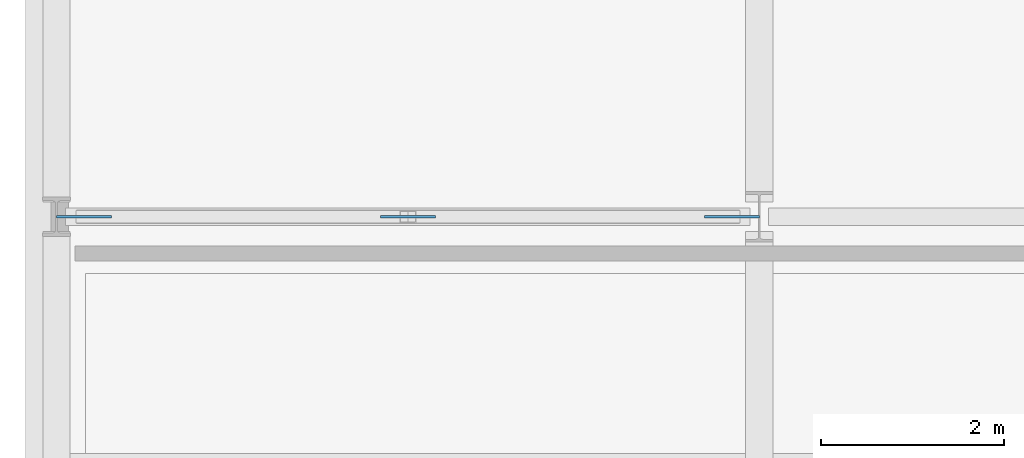
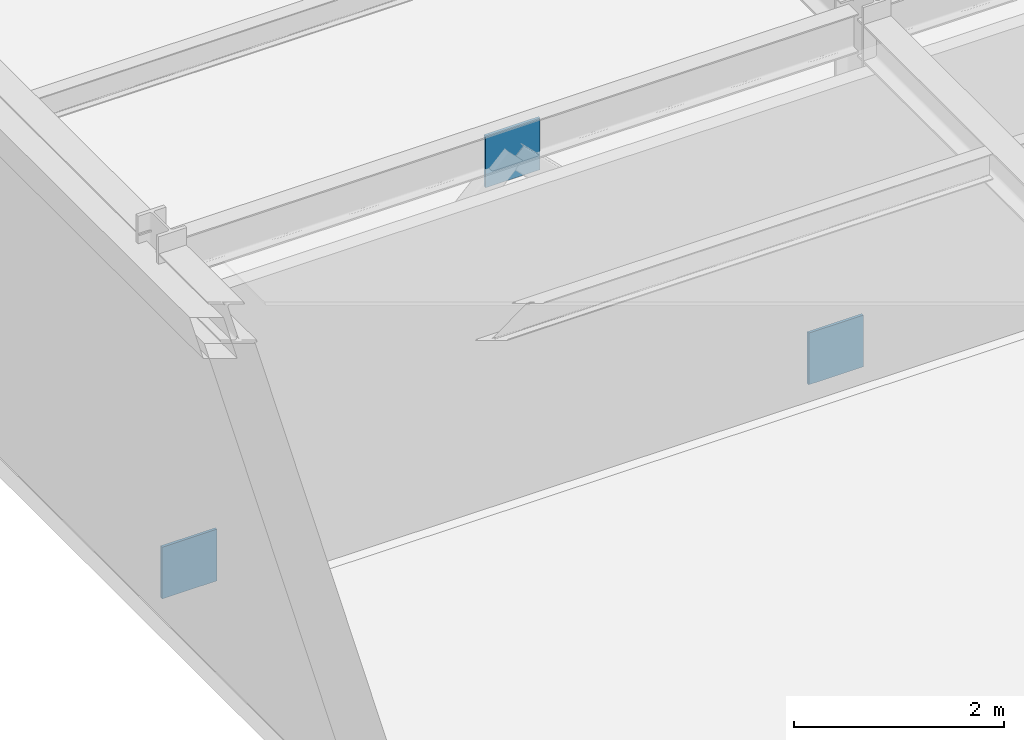
# One storey, part 36 of 57: 3 plates.
"""IFC4 building model written with IfcOpenShell, lengths in metres."""

from ifc_helpers import new_model, si_unit, direction, frame, origin, origin_2d, place, context, subcontext, project, spatial, rectangle, extrude, material, layer, layer_set, type_object, element, save


model = new_model("IFC4")

# Units and contexts
model_context = context("Model", 3, precision=1e-05, world=origin(), true_north=direction((0.0, 1.0)))
body_context = subcontext(model_context, "Body", "Model", "MODEL_VIEW")
ifc_project = project(units=[si_unit("LENGTHUNIT", "METRE"), si_unit("AREAUNIT", "SQUARE_METRE"), si_unit("VOLUMEUNIT", "CUBIC_METRE"), si_unit("PLANEANGLEUNIT", "RADIAN"), si_unit("MASSUNIT", "GRAM", prefix="KILO"), si_unit("THERMODYNAMICTEMPERATUREUNIT", "KELVIN"), si_unit("POWERUNIT", "WATT")], contexts=[model_context])

# Site, building, storey
site_placement = place(None, origin())
site = spatial("IfcSite", under=ifc_project, at=site_placement, CompositionType="ELEMENT")
building_placement = place(site_placement, origin())
building = spatial("IfcBuilding", under=site, at=building_placement, Name="Solvatero Civic Police Headquarters", CompositionType="ELEMENT")
storey_placement = place(building_placement, frame((0.0, 0.0, 9.300048828125)))
storey = spatial("IfcBuildingStorey", under=building, at=storey_placement, Name="L02", CompositionType="ELEMENT", Elevation=9.300048828125)

# Plates
ifc_material = material(Name="Steel S355", Category="steel")
ifc_layer = layer(ifc_material, 0.030029296875)
ifc_layer_set = layer_set([ifc_layer], Name="Steel S355")
plate_type = type_object("IfcPlateType", Name="PLT-GUS-30", PredefinedType="SHEET", material=ifc_layer_set)
for number, where, z_axis, x_axis, name in (
    (1, (8.64990234375, 52.5, 3.349853515625), (0.0, 0.0, 1.0), (1.0, 0.0, 0.0), "Gusset Plate BR-V6-INT1 APX L02"),
    (2, (5.10009765625, 52.5, -0.18017578125), (0.0, 0.0, 1.0), (1.0, 0.0, 0.0), "Gusset Plate BR-V6-INT1 BSL L02"),
    (3, (12.199951171875, 52.5, -0.18017578125), (0.0, 0.0, 1.0), (1.0, 0.0, 0.0), "Gusset Plate BR-V6-INT1 BSR L02"),
):
    element("IfcPlate", number, at=place(storey_placement, frame(where, z_axis=z_axis, x_axis=x_axis)), inside=storey, type_object=plate_type, Name=name, PredefinedType="SHEET", context=body_context, shape_type="SweptSolid", body=[
        extrude(rectangle(XDim=0.60009765625, YDim=0.030029296875, at=origin_2d()), origin(), (0.0, 0.0, 1.0), 0.60009765625),
    ])

save(model, "model.ifc")
